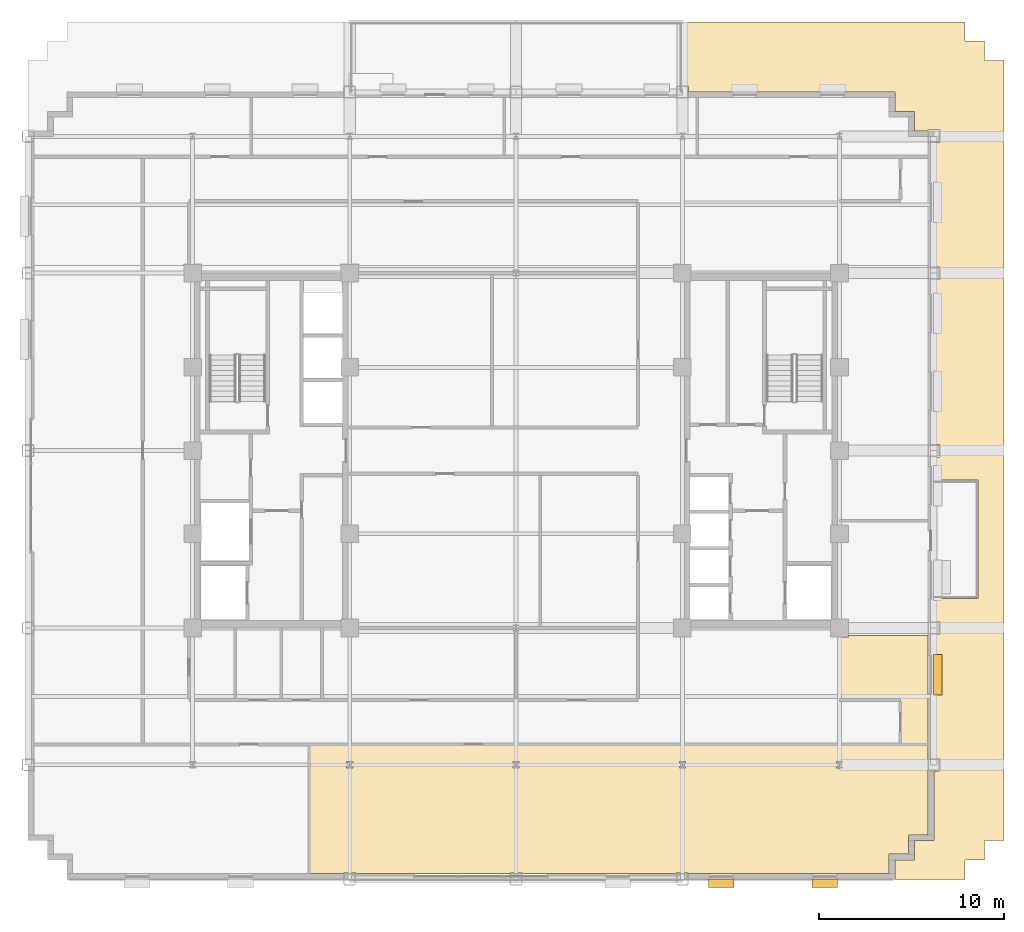
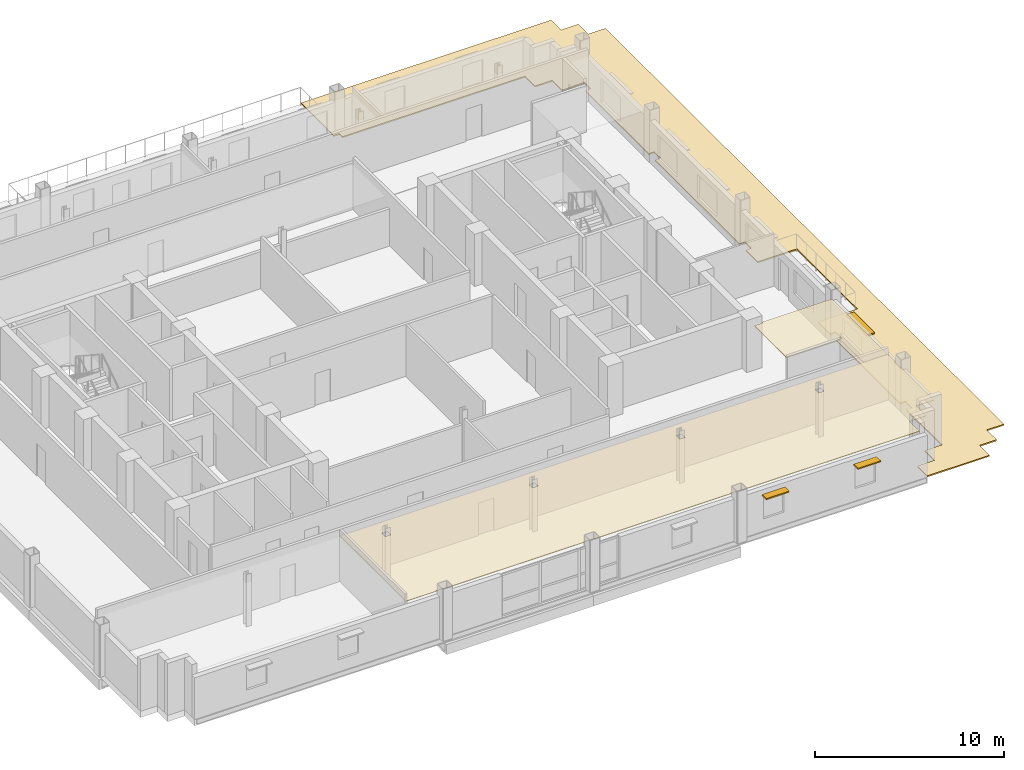
# One storey, part 15 of 17: 3 coverings, 3 shading devices.
"""IFC4 building model written with IfcOpenShell, lengths in metres."""

from ifc_helpers import new_model, si_unit, direction, frame, origin, origin_2d, place, context, subcontext, project, spatial, polyline, rectangle, outline, extrude, source, transform, mapped, material, layer, layer_set, type_object, type_shapes, element, save


model = new_model("IFC4")

# Units and contexts
model_context = context("Model", 3, precision=1e-05, world=origin(), true_north=direction((0.0, 1.0)))
body_context = subcontext(model_context, "Body", "Model", "MODEL_VIEW")
ifc_project = project(units=[si_unit("LENGTHUNIT", "METRE"), si_unit("AREAUNIT", "SQUARE_METRE"), si_unit("VOLUMEUNIT", "CUBIC_METRE"), si_unit("PLANEANGLEUNIT", "RADIAN"), si_unit("MASSUNIT", "GRAM", prefix="KILO")], contexts=[model_context])

# Site, building, storey
site_placement = place(None, origin())
site = spatial("IfcSite", under=ifc_project, at=site_placement, CompositionType="ELEMENT")
building_placement = place(site_placement, origin())
building = spatial("IfcBuilding", under=site, at=building_placement, Name="Nuvemarco Arch Tower", CompositionType="ELEMENT")
storey_placement = place(building_placement, frame((0.0, 0.0, 167.64990234375)))
storey = spatial("IfcBuildingStorey", under=building, at=storey_placement, Name="L44", CompositionType="ELEMENT", Elevation=167.64990234375)

# Coverings
ifc_material_1 = material(Name="Mineral acoustic ceiling tile")
ifc_layer_1 = layer(ifc_material_1, 0.0400390625, Name="COV-ACOUSTIC-CLG")
ifc_layer_set_1 = layer_set([ifc_layer_1], Name="Mineral acoustic ceiling tile")
covering_type_1 = type_object("IfcCoveringType", Name="COV-ACOUSTIC-CLG", PredefinedType="CEILING", material=ifc_layer_set_1)
covering_1_placement = place(storey_placement, frame((0.0, 0.0, 2.85009765625)))
element("IfcCovering", 1, at=covering_1_placement, inside=storey, type_object=covering_type_1, Name="L44 suspended acoustic ceiling 1", PredefinedType="CEILING", context=body_context, shape_type="SweptSolid", body=[
    extrude(outline(polyline([(20.18994140625, -22.889892578125), (9.340087890625, -22.889892578125), (9.340087890625, -22.860107421875), (8.659912109375, -22.860107421875), (8.659912109375, -22.889892578125), (0.340087890625, -22.889892578125), (0.340087890625, -22.860107421875), (-0.340087890625, -22.860107421875), (-0.340087890625, -22.889892578125), (-8.659912109375, -22.889892578125), (-8.659912109375, -22.860107421875), (-9.340087890625, -22.860107421875), (-9.340087890625, -22.889892578125), (-11.199951171875, -22.889892578125), (-11.199951171875, -15.89990234375), (6.60009765625, -15.89990234375), (9.0, -15.89990234375), (20.800048828125, -15.89990234375), (22.2900390625, -15.89990234375), (22.2900390625, -16.659912109375), (22.260009765625, -16.659912109375), (22.260009765625, -17.340087890625), (22.2900390625, -17.340087890625), (22.2900390625, -20.7900390625), (21.239990234375, -20.7900390625), (21.239990234375, -21.840087890625), (20.18994140625, -21.840087890625), (20.18994140625, -22.889892578125)]), holes=[polyline([(-8.830078125, -17.169921875), (-8.830078125, -16.830078125), (-9.169921875, -16.830078125), (-9.169921875, -17.169921875), (-8.830078125, -17.169921875)]), polyline([(0.169921875, -17.169921875), (0.169921875, -16.830078125), (-0.169921875, -16.830078125), (-0.169921875, -17.169921875), (0.169921875, -17.169921875)]), polyline([(9.169921875, -17.169921875), (9.169921875, -16.830078125), (8.830078125, -16.830078125), (8.830078125, -17.169921875), (9.169921875, -17.169921875)]), polyline([(17.669921875, -17.169921875), (17.669921875, -16.830078125), (17.330078125, -16.830078125), (17.330078125, -17.169921875), (17.669921875, -17.169921875)])]), origin(), (0.0, 0.0, 1.0), 0.0400390625),
])
covering_2_placement = place(storey_placement, frame((0.0, 0.0, 2.85009765625)))
element("IfcCovering", 2, at=covering_2_placement, inside=storey, type_object=covering_type_1, Name="L44 suspended acoustic ceiling 6", PredefinedType="CEILING", context=body_context, shape_type="SweptSolid", body=[
    extrude(outline(polyline([(17.5, -10.090087890625), (17.989990234375, -10.090087890625), (17.989990234375, -10.0), (22.2900390625, -10.0), (22.2900390625, -15.89990234375), (20.800048828125, -15.89990234375), (20.800048828125, -13.5), (17.5, -13.5), (17.5, -10.090087890625)])), origin(), (0.0, 0.0, 1.0), 0.0400390625),
])
ifc_material_2 = material(Name="Elastomeric roofing membrane and insulation")
ifc_layer_2 = layer(ifc_material_2, 0.080078125, Name="COV-ROOF-MEMB")
ifc_layer_set_2 = layer_set([ifc_layer_2], Name="Elastomeric roofing membrane and insulation")
covering_type_2 = type_object("IfcCoveringType", Name="COV-ROOF-MEMB", PredefinedType="ROOFING", material=ifc_layer_set_2)
covering_3_placement = place(storey_placement, origin())
element("IfcCovering", 3, at=covering_3_placement, inside=storey, type_object=covering_type_2, Name="L44 setback roof elastomeric membrane and insulation 1", PredefinedType="ROOFING", context=body_context, shape_type="SweptSolid", body=[
    extrude(outline(polyline([(24.300048828125, 23.199951171875), (24.300048828125, 22.14990234375), (25.35009765625, 22.14990234375), (25.35009765625, 21.10009765625), (26.39990234375, 21.10009765625), (26.39990234375, -21.10009765625), (25.35009765625, -21.10009765625), (25.35009765625, -22.14990234375), (24.300048828125, -22.14990234375), (24.300048828125, -23.199951171875), (20.5, -23.199951171875), (20.5, -22.14990234375), (21.550048828125, -22.14990234375), (21.550048828125, -21.10009765625), (22.60009765625, -21.10009765625), (22.60009765625, -17.3349609375), (22.93505859375, -17.3349609375), (22.93505859375, -16.6650390625), (22.60009765625, -16.6650390625), (22.60009765625, -9.93505859375), (22.93505859375, -9.93505859375), (22.93505859375, -9.264892578125), (22.60009765625, -9.264892578125), (22.60009765625, -8.0), (25.0, -8.0), (25.0, -1.60009765625), (22.60009765625, -1.60009765625), (22.60009765625, -0.3349609375), (22.93505859375, -0.3349609375), (22.93505859375, 0.3349609375), (22.60009765625, 0.3349609375), (22.60009765625, 9.264892578125), (22.93505859375, 9.264892578125), (22.93505859375, 9.93505859375), (22.60009765625, 9.93505859375), (22.60009765625, 16.6650390625), (22.93505859375, 16.6650390625), (22.93505859375, 17.3349609375), (22.264892578125, 17.3349609375), (22.264892578125, 17.300048828125), (21.550048828125, 17.300048828125), (21.550048828125, 18.35009765625), (20.5, 18.35009765625), (20.5, 19.39990234375), (9.3349609375, 19.39990234375), (9.3349609375, 19.735107421875), (9.0, 19.735107421875), (9.0, 23.199951171875), (24.300048828125, 23.199951171875)])), origin(), (0.0, 0.0, 1.0), 0.080078125),
])

# Shading devices
ifc_material_3 = material(Name="Anodised aluminium 6063-T6", Category="aluminium")
shading_device_type_1 = type_object("IfcShadingDeviceType", Name="SHD-BRISE-SOLEIL", PredefinedType="USERDEFINED", material=ifc_material_3)
shared_shape_1 = source(origin(), body_context, "Body", "SweptSolid", [
    extrude(rectangle(XDim=2.199951171875, YDim=0.449951171875, at=origin_2d()), origin(), (0.0, 0.0, 1.0), 0.080078125),
])
type_shapes(shading_device_type_1, [shared_shape_1])
shading_device_placement = place(storey_placement, frame((22.81494140625, -12.125, 2.324951171875), z_axis=(0.0, 0.0, 1.0), x_axis=(0.0, 1.0, 0.0)))
element("IfcShadingDevice", 4, at=shading_device_placement, inside=storey, type_object=shading_device_type_1, Name="L44 horizontal brise-soleil sunshade", ObjectType="SUNSHADE", PredefinedType="USERDEFINED", context=body_context, shape_type="MappedRepresentation", body=[
    mapped(shared_shape_1, transform((0.0, 0.0, 0.0), scale=1.0)),
])
shading_device_type_2 = type_object("IfcShadingDeviceType", Name="SHD-BRISE-NARROW", PredefinedType="USERDEFINED", material=ifc_material_3)
shared_shape_2 = source(origin(), body_context, "Body", "SweptSolid", [
    extrude(rectangle(XDim=1.39990234375, YDim=0.449951171875, at=origin_2d()), origin(), (0.0, 0.0, 1.0), 0.080078125),
])
type_shapes(shading_device_type_2, [shared_shape_2])
for number, where, z_axis, x_axis, name in (
    (5, (11.10009765625, -23.4150390625, 2.324951171875), (0.0, 0.0, 1.0), (1.0, 0.0, 0.0), "L44 horizontal brise-soleil sunshade"),
    (6, (16.699951171875, -23.4150390625, 2.324951171875), (0.0, 0.0, 1.0), (1.0, 0.0, 0.0), "L44 horizontal brise-soleil sunshade"),
):
    element("IfcShadingDevice", number, at=place(storey_placement, frame(where, z_axis=z_axis, x_axis=x_axis)), inside=storey, type_object=shading_device_type_2, Name=name, ObjectType="SUNSHADE", PredefinedType="USERDEFINED", context=body_context, shape_type="MappedRepresentation", body=[
        mapped(shared_shape_2, transform((0.0, 0.0, 0.0), scale=1.0)),
    ])

save(model, "model.ifc")
